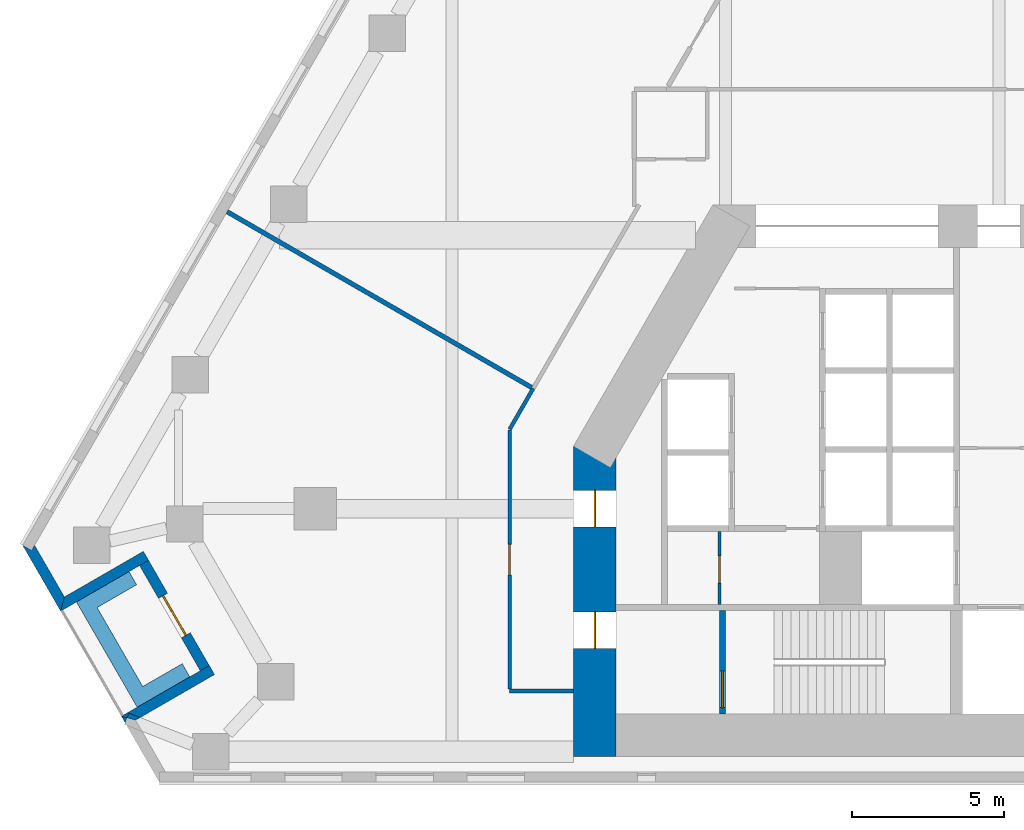
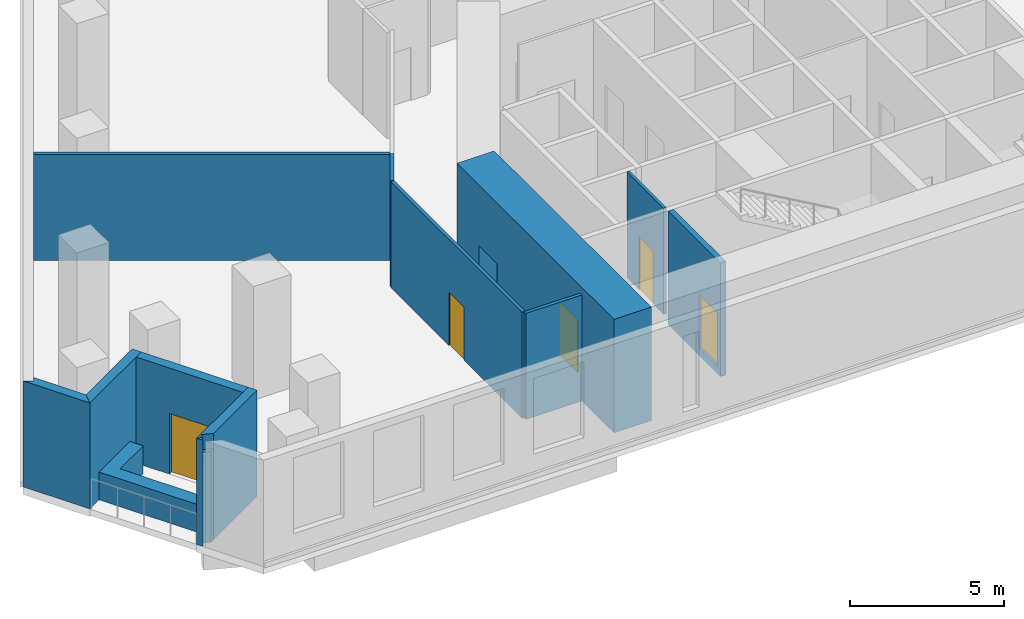
# One storey, part 3 of 10: 14 walls, 6 doors, 6 openings.
"""IFC4 building model written with IfcOpenShell, lengths in metres."""

from ifc_helpers import new_model, si_unit, direction, frame, frame_2d, origin, place, context, subcontext, project, spatial, polyline, rectangle, outline, extrude, material, layer, layer_set, type_object, element, fill, save


model = new_model("IFC4")

# Units and contexts
model_context = context("Model", 3, precision=1e-05, world=origin(), true_north=direction((0.0, 1.0)))
body_context = subcontext(model_context, "Body", "Model", "MODEL_VIEW")
ifc_project = project(units=[si_unit("LENGTHUNIT", "METRE"), si_unit("AREAUNIT", "SQUARE_METRE"), si_unit("VOLUMEUNIT", "CUBIC_METRE"), si_unit("PLANEANGLEUNIT", "RADIAN"), si_unit("MASSUNIT", "GRAM", prefix="KILO")], contexts=[model_context])

# Site, building, storey
site_placement = place(None, origin())
site = spatial("IfcSite", under=ifc_project, at=site_placement, CompositionType="ELEMENT")
building_placement = place(site_placement, origin())
building = spatial("IfcBuilding", under=site, at=building_placement, Name="Fogline Exchange Tower", CompositionType="ELEMENT")
storey_placement = place(building_placement, frame((0.0, 0.0, 38.5)))
storey = spatial("IfcBuildingStorey", under=building, at=storey_placement, Name="L07", CompositionType="ELEMENT", Elevation=38.5)

# Wall, opening, door
ifc_material_1 = material(Name="Blockwork partition", Category="masonry")
ifc_layer_1 = layer(ifc_material_1, 0.10009765625)
ifc_layer_set_1 = layer_set([ifc_layer_1], Name="CW10")
wall_type_1 = type_object("IfcWallType", Name="CW10", PredefinedType="PARTITIONING", material=ifc_layer_set_1)
wall_1_placement = place(storey_placement, frame((-9.199951171875, 5.85009765625, 0.0), z_axis=(0.0, 0.0, 1.0), x_axis=(0.0, 1.0, 0.0)))
wall_1 = element("IfcWall", 1, at=wall_1_placement, inside=storey, type_object=wall_type_1, Name="WC partition", PredefinedType="PARTITIONING", context=body_context, shape_type="SweptSolid", body=[
    extrude(rectangle(XDim=2.39990234375, YDim=0.10009765625, at=frame_2d((1.199951171875, 0.0))), origin(), (0.0, 0.0, 1.0), 4.199951171875),
])
opening_1_placement = place(wall_1_placement, frame((0.699951171875, 0.0, 0.0)))
opening_1 = element("IfcOpeningElement", 2, at=opening_1_placement, cuts=wall_1, Name="Opening T02-C009", PredefinedType="OPENING", context=body_context, shape_type="SweptSolid", body=[
    extrude(rectangle(XDim=0.89990234375, YDim=2.10009765625, at=frame_2d((0.449951171875, 1.050048828125))), frame((0.0, 0.06005859375, 0.0), z_axis=(0.0, -1.0, 0.0), x_axis=(1.0, 0.0, 0.0)), (0.0, 0.0, 1.0), 0.1201171875),
])
ifc_material_2 = material(Name="Steel and timber fire door", Category="steel")
door_type_1 = type_object("IfcDoorType", Name="D-CS1", OperationType="SINGLE_SWING_RIGHT", PredefinedType="DOOR", material=ifc_material_2)
door_1_placement = place(opening_1_placement, origin())
door_1 = element("IfcDoor", 3, at=door_1_placement, inside=storey, type_object=door_type_1, Name="Door to Cleaner's Store", OperationType="SINGLE_SWING_LEFT", OverallHeight=2.10009765625, OverallWidth=0.89990234375, PredefinedType="DOOR", context=body_context, shape_type="SweptSolid", body=[
    extrude(rectangle(XDim=0.89990234375, YDim=2.10009765625, at=frame_2d((0.449951171875, 1.050048828125))), frame((0.0, 0.02490234375, 0.0), z_axis=(0.0, -1.0, 0.0), x_axis=(1.0, 0.0, 0.0)), (0.0, 0.0, 1.0), 0.050048828125),
])
fill(opening_1, door_1)

ifc_material_3 = material(Name="Concrete C40", Category="concrete")
ifc_layer_2 = layer(ifc_material_3, 0.199951171875)
ifc_layer_set_2 = layer_set([ifc_layer_2], Name="CW20R")
wall_type_2 = type_object("IfcWallType", Name="CW20R", PredefinedType="SOLIDWALL", material=ifc_layer_set_2)
wall_2_placement = place(storey_placement, frame((-9.10009765625, 2.25, -0.300048828125), z_axis=(0.0, 0.0, 1.0), x_axis=(0.0, 1.0, 0.0)))
wall_2 = element("IfcWall", 4, at=wall_2_placement, inside=storey, type_object=wall_type_2, Name="Stair enclosure wall", PredefinedType="SOLIDWALL", context=body_context, shape_type="SweptSolid", body=[
    extrude(rectangle(XDim=3.39990234375, YDim=0.199951171875, at=frame_2d((1.699951171875, 0.0))), origin(), (0.0, 0.0, 1.0), 4.5),
])
opening_2_placement = place(wall_2_placement, frame((0.199951171875, 0.0, 0.300048828125)))
opening_2 = element("IfcOpeningElement", 5, at=opening_2_placement, cuts=wall_2, Name="Opening T02-C011", PredefinedType="OPENING", context=body_context, shape_type="SweptSolid", body=[
    extrude(rectangle(XDim=1.199951171875, YDim=2.10009765625, at=frame_2d((0.60009765625, 1.050048828125))), frame((0.0, 0.10986328125, 0.0), z_axis=(0.0, -1.0, 0.0), x_axis=(1.0, 0.0, 0.0)), (0.0, 0.0, 1.0), 0.219970703125),
])
door_type_2 = type_object("IfcDoorType", Name="D-ST1", OperationType="SINGLE_SWING_LEFT", PredefinedType="DOOR", material=ifc_material_2)
door_2_placement = place(opening_2_placement, frame((1.199951171875, 0.0, 0.0), z_axis=(0.0, 0.0, 1.0), x_axis=(-1.0, 0.0, 0.0)))
door_2 = element("IfcDoor", 6, at=door_2_placement, inside=storey, type_object=door_type_2, Name="Stair door ST1", OperationType="SINGLE_SWING_RIGHT", OverallHeight=2.10009765625, OverallWidth=1.199951171875, PredefinedType="DOOR", context=body_context, shape_type="SweptSolid", body=[
    extrude(rectangle(XDim=1.199951171875, YDim=2.10009765625, at=frame_2d((0.60009765625, 1.050048828125))), frame((0.0, 0.02490234375, 0.0), z_axis=(0.0, -1.0, 0.0), x_axis=(1.0, 0.0, 0.0)), (0.0, 0.0, 1.0), 0.050048828125),
])
fill(opening_2, door_2)

# Walls
ifc_material_4 = material(Name="Brick masonry", Category="masonry")
ifc_layer_3 = layer(ifc_material_4, 0.340087890625)
ifc_layer_set_3 = layer_set([ifc_layer_3], Name="FW1")
wall_type_3 = type_object("IfcWallType", Name="FW1", PredefinedType="SOLIDWALL", material=ifc_layer_set_3)
wall_3_placement = place(storey_placement, origin())
element("IfcWall", 7, at=wall_3_placement, inside=storey, type_object=wall_type_3, Name="Brick wall L07 SW-c1", PredefinedType="SOLIDWALL", context=body_context, shape_type="SweptSolid", body=[
    extrude(outline(polyline([(-30.877685546875, 5.6279296875), (-32.128662109375, 7.794921875), (-32.128173828125, 7.79541015625), (-31.83349609375, 7.625), (-31.735107421875, 7.79541015625), (-30.75244140625, 6.09375), (-30.877197265625, 5.6279296875), (-30.877685546875, 5.6279296875)])), origin(), (0.0, 0.0, 1.0), 4.199951171875),
])
wall_4_placement = place(storey_placement, origin())
element("IfcWall", 8, at=wall_4_placement, inside=storey, type_object=wall_type_3, Name="Brick wall L07 SW-s1", PredefinedType="SOLIDWALL", context=body_context, shape_type="SweptSolid", body=[
    extrude(outline(polyline([(-28.15478515625, 7.594482421875), (-27.984375, 7.298828125), (-28.279296875, 7.128662109375), (-30.878173828125, 5.628173828125), (-30.87841796875, 5.62841796875), (-30.753662109375, 6.093994140625), (-28.15478515625, 7.594482421875)])), origin(), (0.0, 0.0, 1.0), 4.199951171875),
])

# Wall, opening, door
wall_5_placement = place(storey_placement, frame((-28.13232421875, 7.214111328125, 0.0), z_axis=(0.0, 0.0, 1.0), x_axis=(0.49999894854, -0.866026010844, 0.0)))
wall_5 = element("IfcWall", 9, at=wall_5_placement, inside=storey, type_object=wall_type_3, Name="Brick wall L07 SW-bk", PredefinedType="SOLIDWALL", context=body_context, shape_type="SweptSolid", body=[
    extrude(rectangle(XDim=4.0, YDim=0.340087890625, at=frame_2d((2.0, 0.0))), origin(), (0.0, 0.0, 1.0), 4.199951171875),
])
opening_3_placement = place(wall_5_placement, frame((1.25, 0.0, 0.0)))
opening_3 = element("IfcOpeningElement", 10, at=opening_3_placement, cuts=wall_5, Name="Opening T02-E021", PredefinedType="OPENING", context=body_context, shape_type="SweptSolid", body=[
    extrude(rectangle(XDim=1.5, YDim=2.39990234375, at=frame_2d((0.75, 1.199951171875))), frame((0.0, 0.18017578125, 0.0), z_axis=(0.0, -1.0, 0.0), x_axis=(1.0, 0.0, 0.0)), (0.0, 0.0, 1.0), 0.360107421875),
])
ifc_material_5 = material(Name="Aluminium and glass", Category="aluminium")
door_type_3 = type_object("IfcDoorType", Name="ED4", OperationType="SINGLE_SWING_LEFT", PredefinedType="DOOR", material=ifc_material_5)
door_3_placement = place(opening_3_placement, frame((1.5, 0.0, 0.0), z_axis=(0.0, 0.0, 1.0), x_axis=(-1.0, 0.0, 0.0)))
door_3 = element("IfcDoor", 11, at=door_3_placement, inside=storey, type_object=door_type_3, Name="Balcony door L07 SW", OperationType="DOUBLE_DOOR_SINGLE_SWING", OverallHeight=2.39990234375, OverallWidth=1.5, PredefinedType="DOOR", context=body_context, shape_type="SweptSolid", body=[
    extrude(rectangle(XDim=1.5, YDim=2.39990234375, at=frame_2d((0.75, 1.199951171875))), frame((0.0, 0.02490234375, 0.0), z_axis=(0.0, -1.0, 0.0), x_axis=(1.0, 0.0, 0.0)), (0.0, 0.0, 1.0), 0.050048828125),
])
fill(opening_3, door_3)

# Walls
wall_6_placement = place(storey_placement, origin())
element("IfcWall", 12, at=wall_6_placement, inside=storey, type_object=wall_type_3, Name="Brick wall L07 SW-s2", PredefinedType="SOLIDWALL", context=body_context, shape_type="SweptSolid", body=[
    extrude(outline(polyline([(-28.4130859375, 2.0400390625), (-28.694091796875, 2.115234375), (-28.63232421875, 2.273193359375), (-28.26123046875, 2.127685546875), (-28.4130859375, 2.0400390625)])), origin(), (0.0, 0.0, 1.0), 3.60009765625),
])
wall_7_placement = place(storey_placement, origin())
element("IfcWall", 13, at=wall_7_placement, inside=storey, type_object=wall_type_3, Name="Brick wall L07 SW-s2", PredefinedType="SOLIDWALL", context=body_context, shape_type="SweptSolid", body=[
    extrude(outline(polyline([(-26.27978515625, 3.66552734375), (-25.98486328125, 3.8359375), (-25.814208984375, 3.540283203125), (-28.26123046875, 2.127685546875), (-28.63232421875, 2.273193359375), (-28.694091796875, 2.115234375), (-28.878662109375, 2.164794921875), (-28.87890625, 2.1650390625), (-26.27978515625, 3.66552734375)])), origin(), (0.0, 0.0, 1.0), 4.199951171875),
])
wall_8_placement = place(storey_placement, origin())
element("IfcWall", 14, at=wall_8_placement, inside=storey, type_object=wall_type_3, Name="Brick wall L07 SW-c2", PredefinedType="SOLIDWALL", context=body_context, shape_type="SweptSolid", body=[
    extrude(outline(polyline([(-28.878662109375, 2.165771484375), (-28.87841796875, 2.166015625), (-28.69384765625, 2.116455078125), (-28.757080078125, 1.955078125), (-28.878662109375, 2.165771484375)])), origin(), (0.0, 0.0, 1.0), 4.199951171875),
])
ifc_material_6 = material(Name="Concrete C30", Category="concrete")
ifc_layer_4 = layer(ifc_material_6, 0.199951171875)
ifc_layer_set_4 = layer_set([ifc_layer_4], Name="PL1")
wall_type_4 = type_object("IfcWallType", Name="PL1", PredefinedType="USERDEFINED", material=ifc_layer_set_4)
wall_9_placement = place(storey_placement, origin())
element("IfcWall", 15, at=wall_9_placement, inside=storey, type_object=wall_type_4, Name="PLANTER balcony L07 SW", ObjectType="PLANTER", PredefinedType="USERDEFINED", context=body_context, shape_type="SweptSolid", body=[
    extrude(outline(polyline([(-26.8759765625, 3.898193359375), (-28.175048828125, 3.148193359375), (-29.675048828125, 5.74609375), (-28.3759765625, 6.49609375), (-28.6259765625, 6.92919921875), (-30.35791015625, 5.92919921875), (-30.10791015625, 5.49609375), (-28.35791015625, 2.465087890625), (-27.925048828125, 2.715087890625), (-27.925048828125, 2.715087890625), (-26.6259765625, 3.465087890625), (-26.8759765625, 3.898193359375)])), origin(), (0.0, 0.0, 1.0), 1.10009765625),
])
ifc_material_7 = material(Name="Plasterboard corridor partition with mineral wool, 2 layers each side")
ifc_layer_5 = layer(ifc_material_7, 0.125)
ifc_layer_set_5 = layer_set([ifc_layer_5], Name="PW2")
wall_type_5 = type_object("IfcWallType", Name="PW2", PredefinedType="PARTITIONING", material=ifc_layer_set_5)
wall_10_placement = place(storey_placement, frame((-14.0, 3.0, 0.0), z_axis=(0.0, 0.0, 1.0), x_axis=(-1.0, 0.0, 0.0)))
element("IfcWall", 16, at=wall_10_placement, inside=storey, type_object=wall_type_5, Name="wall-L07-W011", PredefinedType="PARTITIONING", context=body_context, shape_type="SweptSolid", body=[
    extrude(rectangle(XDim=2.10009765625, YDim=0.125, at=frame_2d((1.050048828125, 0.0))), origin(), (0.0, 0.0, 1.0), 4.199951171875),
])

# Wall, opening, door
wall_11_placement = place(storey_placement, frame((-16.10009765625, 3.0625, 0.0), z_axis=(0.0, 0.0, 1.0), x_axis=(0.0, 1.0, 0.0)))
wall_11 = element("IfcWall", 17, at=wall_11_placement, inside=storey, type_object=wall_type_5, Name="wall-L07-W012", PredefinedType="PARTITIONING", context=body_context, shape_type="SweptSolid", body=[
    extrude(rectangle(XDim=8.521728515625, YDim=0.125, at=frame_2d((4.2607421875, 0.0))), origin(), (0.0, 0.0, 1.0), 4.199951171875),
])
opening_4_placement = place(wall_11_placement, frame((3.760986328125, 0.0, 0.0)))
opening_4 = element("IfcOpeningElement", 18, at=opening_4_placement, cuts=wall_11, Name="Opening T02-D005", PredefinedType="OPENING", context=body_context, shape_type="SweptSolid", body=[
    extrude(rectangle(XDim=1.0, YDim=2.10009765625, at=frame_2d((0.5, 1.050048828125))), frame((0.0, 0.072509765625, 0.0), z_axis=(0.0, -1.0, 0.0), x_axis=(1.0, 0.0, 0.0)), (0.0, 0.0, 1.0), 0.14501953125),
])
ifc_material_8 = material(Name="Fire-rated timber door leaf with steel frame", Category="steel")
door_type_4 = type_object("IfcDoorType", Name="D3", OperationType="SINGLE_SWING_LEFT", PredefinedType="DOOR", material=ifc_material_8)
door_4_placement = place(opening_4_placement, origin())
door_4 = element("IfcDoor", 19, at=door_4_placement, inside=storey, type_object=door_type_4, Name="door-L07-D005", OperationType="SINGLE_SWING_LEFT", OverallHeight=2.10009765625, OverallWidth=1.0, PredefinedType="DOOR", context=body_context, shape_type="SweptSolid", body=[
    extrude(rectangle(XDim=1.0, YDim=2.10009765625, at=frame_2d((0.5, 1.050048828125))), frame((0.0, 0.02490234375, 0.0), z_axis=(0.0, -1.0, 0.0), x_axis=(1.0, 0.0, 0.0)), (0.0, 0.0, 1.0), 0.050048828125),
])
fill(opening_4, door_4)

# Walls
wall_12_placement = place(storey_placement, frame((-16.10009765625, 11.615234375, 0.0), z_axis=(0.0, 0.0, 1.0), x_axis=(0.500072711917, 0.86598341947, 0.0)))
element("IfcWall", 20, at=wall_12_placement, inside=storey, type_object=wall_type_5, Name="wall-L07-W013", PredefinedType="PARTITIONING", context=body_context, shape_type="SweptSolid", body=[
    extrude(rectangle(XDim=1.548583984375, YDim=0.125, at=frame_2d((0.7744140625, 0.0))), origin(), (0.0, 0.0, 1.0), 4.199951171875),
])
ifc_material_9 = material(Name="Plasterboard demising partition with mineral wool and acoustic board")
ifc_layer_6 = layer(ifc_material_9, 0.14990234375)
ifc_layer_set_6 = layer_set([ifc_layer_6], Name="PW3")
wall_type_6 = type_object("IfcWallType", Name="PW3", PredefinedType="PARTITIONING", material=ifc_layer_set_6)
wall_13_placement = place(storey_placement, frame((-15.3798828125, 12.987548828125, 0.0), z_axis=(0.0, 0.0, 1.0), x_axis=(-0.866033046372, 0.499986762417, 0.0)))
element("IfcWall", 21, at=wall_13_placement, inside=storey, type_object=wall_type_6, Name="wall-L07-W044", PredefinedType="PARTITIONING", context=body_context, shape_type="SweptSolid", body=[
    extrude(rectangle(XDim=11.567138671875, YDim=0.14990234375, at=frame_2d((5.78369140625, 0.0))), origin(), (0.0, 0.0, 1.0), 4.199951171875),
])

# Wall, openings, doors
ifc_material_10 = material(Name="Concrete C60", Category="concrete")
ifc_layer_7 = layer(ifc_material_10, 1.39990234375)
ifc_layer_set_7 = layer_set([ifc_layer_7], Name="SW01")
wall_type_7 = type_object("IfcWallType", Name="SW01", PredefinedType="SHEAR", material=ifc_layer_set_7)
wall_14_placement = place(storey_placement, frame((-13.300048828125, 11.052490234375, 0.0), z_axis=(0.0, 0.0, 1.0), x_axis=(0.0, -1.0, 0.0)))
wall_14 = element("IfcWall", 22, at=wall_14_placement, inside=storey, type_object=wall_type_7, Name="L07-W906", PredefinedType="SHEAR", context=body_context, shape_type="SweptSolid", body=[
    extrude(rectangle(XDim=10.202392578125, YDim=1.39990234375, at=frame_2d((5.10107421875, 0.0))), origin(), (0.0, 0.0, 1.0), 4.5),
])
opening_5_placement = place(wall_14_placement, frame((5.45263671875, 0.0, 0.0)))
opening_5 = element("IfcOpeningElement", 23, at=opening_5_placement, cuts=wall_14, Name="Opening T02-C010", PredefinedType="OPENING", context=body_context, shape_type="SweptSolid", body=[
    extrude(rectangle(XDim=1.199951171875, YDim=2.10009765625, at=frame_2d((0.60009765625, 1.050048828125))), frame((0.0, 0.7099609375, 0.0), z_axis=(0.0, -1.0, 0.0), x_axis=(1.0, 0.0, 0.0)), (0.0, 0.0, 1.0), 1.419921875),
])
opening_6_placement = place(wall_14_placement, frame((1.45263671875, 0.0, 0.0)))
opening_6 = element("IfcOpeningElement", 24, at=opening_6_placement, cuts=wall_14, Name="Opening T02-C012", PredefinedType="OPENING", context=body_context, shape_type="SweptSolid", body=[
    extrude(rectangle(XDim=1.199951171875, YDim=2.10009765625, at=frame_2d((0.60009765625, 1.050048828125))), frame((0.0, 0.7099609375, 0.0), z_axis=(0.0, -1.0, 0.0), x_axis=(1.0, 0.0, 0.0)), (0.0, 0.0, 1.0), 1.419921875),
])
door_type_5 = type_object("IfcDoorType", Name="D-FR1", OperationType="SINGLE_SWING_RIGHT", PredefinedType="DOOR", material=ifc_material_2)
door_5_placement = place(opening_5_placement, origin())
door_5 = element("IfcDoor", 25, at=door_5_placement, inside=storey, type_object=door_type_5, Name="Front room door ST1", OperationType="SINGLE_SWING_LEFT", OverallHeight=2.10009765625, OverallWidth=1.199951171875, PredefinedType="DOOR", context=body_context, shape_type="SweptSolid", body=[
    extrude(rectangle(XDim=1.199951171875, YDim=2.10009765625, at=frame_2d((0.60009765625, 1.050048828125))), frame((0.0, 0.02490234375, 0.0), z_axis=(0.0, -1.0, 0.0), x_axis=(1.0, 0.0, 0.0)), (0.0, 0.0, 1.0), 0.050048828125),
])
fill(opening_5, door_5)
door_type_6 = type_object("IfcDoorType", Name="D-SV1", OperationType="SINGLE_SWING_LEFT", PredefinedType="DOOR", material=ifc_material_2)
door_6_placement = place(opening_6_placement, origin())
door_6 = element("IfcDoor", 26, at=door_6_placement, inside=storey, type_object=door_type_6, Name="Service door W", OperationType="SINGLE_SWING_LEFT", OverallHeight=2.10009765625, OverallWidth=1.199951171875, PredefinedType="DOOR", context=body_context, shape_type="SweptSolid", body=[
    extrude(rectangle(XDim=1.199951171875, YDim=2.10009765625, at=frame_2d((0.60009765625, 1.050048828125))), frame((0.0, 0.02490234375, 0.0), z_axis=(0.0, -1.0, 0.0), x_axis=(1.0, 0.0, 0.0)), (0.0, 0.0, 1.0), 0.050048828125),
])
fill(opening_6, door_6)

save(model, "model.ifc")
